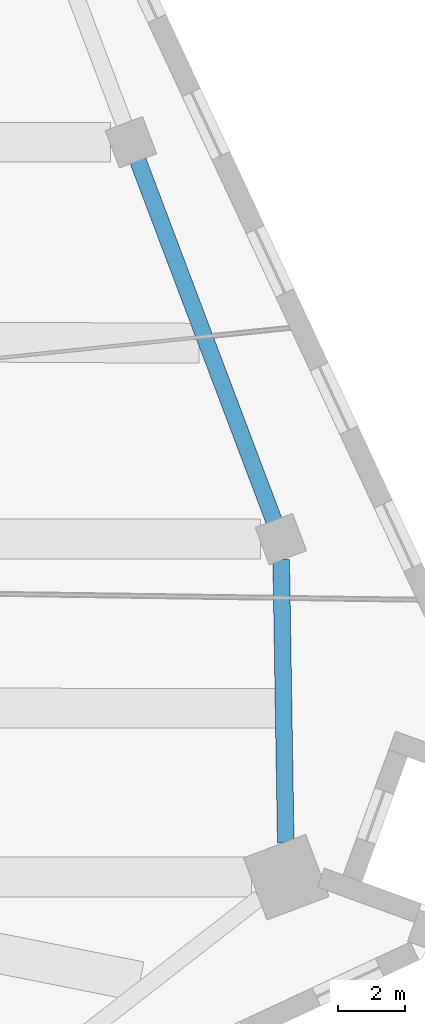
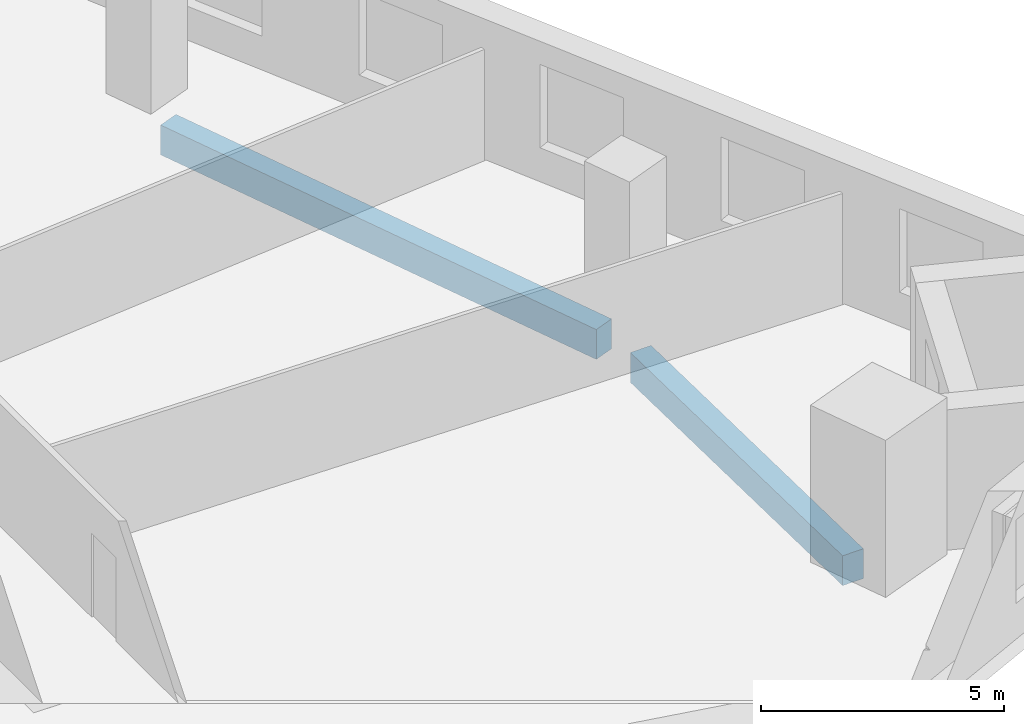
# One storey, part 3 of 12: 2 beams.
"""IFC4 building model written with IfcOpenShell, lengths in metres."""

import ifcopenshell
import ifcopenshell.guid

model = None  # the IFC model being written
_history = None  # IfcOwnerHistory: only IFC2X3 demands one
_inside = {}  # id of a spatial element -> (the spatial element, [elements in it])
_under = {}  # id of a project, library or spatial element -> (it, [spatial elements below it])
_declared = {}  # id of a project -> (the project, [libraries it declares])
_typed = {}  # id of a type object -> (the type object, [elements of that type])
_made_of = {}  # id of a material, layer set ... -> (it, [elements and type objects made of it])


def new_model(schema):
    """Start an empty IFC model of exactly this schema.

    Asked for "IFC4X3", IfcOpenShell would pick the latest addendum, in which some entities
    have other attributes; the version numbers below select the first issue.
    IFC2X3 requires an IfcOwnerHistory on every rooted entity: one is made here for all.
    """
    global model, _history
    if schema == "IFC4X3":
        model = ifcopenshell.file(schema_version=(4, 3, 0, 0))
    else:
        model = ifcopenshell.file(schema=schema)
    _inside.clear()
    _under.clear()
    _declared.clear()
    _typed.clear()
    _made_of.clear()
    _history = None
    if model.schema == "IFC2X3":
        org = make("IfcOrganization", Name="unknown")
        user = make(
            "IfcPersonAndOrganization",
            ThePerson=make("IfcPerson", FamilyName="unknown"),
            TheOrganization=org,
        )
        app = make(
            "IfcApplication",
            ApplicationDeveloper=org,
            Version="unknown",
            ApplicationFullName="unknown",
            ApplicationIdentifier="unknown",
        )
        _history = make(
            "IfcOwnerHistory",
            OwningUser=user,
            OwningApplication=app,
            ChangeAction="ADDED",
            CreationDate=0,
        )
    return model


def make(cls, **values):
    """One entity of the class cls with the attributes given. An attribute that is None is left unset."""
    return model.create_entity(
        cls, **{name: value for name, value in values.items() if value is not None}
    )


def rooted(cls, **values):
    """An entity with a GlobalId (a new one), such as an element, a storey or a relation."""
    return make(cls, GlobalId=ifcopenshell.guid.new(), OwnerHistory=_history, **values)


def si_unit(unit_type, name, prefix=None):
    """IfcSIUnit, for example si_unit("LENGTHUNIT", "METRE", prefix="MILLI")."""
    return make("IfcSIUnit", UnitType=unit_type, Prefix=prefix, Name=name)


def assignment(units):
    """IfcUnitAssignment: the units of a project."""
    return None if units is None else make("IfcUnitAssignment", Units=units)


def point(xyz):
    """IfcCartesianPoint."""
    return None if xyz is None else make("IfcCartesianPoint", Coordinates=xyz)


def direction(xyz):
    """IfcDirection."""
    return None if xyz is None else make("IfcDirection", DirectionRatios=xyz)


def frame(location, z_axis=None, x_axis=None):
    """IfcAxis2Placement3D, a coordinate frame: its origin and axes. An axis left out is left unset."""
    return make(
        "IfcAxis2Placement3D",
        Location=point(location),
        Axis=direction(z_axis),
        RefDirection=direction(x_axis),
    )


def frame_2d(location, x_axis=None):
    """IfcAxis2Placement2D, a coordinate frame in the plane: its origin and x axis."""
    return make(
        "IfcAxis2Placement2D", Location=point(location), RefDirection=direction(x_axis)
    )


def origin():
    """The frame at (0, 0, 0) with its axes left unset."""
    return frame((0.0, 0.0, 0.0))


def origin_2d():
    """The frame at (0, 0) in the plane with its x axis left unset."""
    return frame_2d((0.0, 0.0))


def place(relative_to, where):
    """IfcLocalPlacement: puts the frame where relative to a parent placement (None: the world)."""
    return make(
        "IfcLocalPlacement", PlacementRelTo=relative_to, RelativePlacement=where
    )


def context(
    kind, dimensions, precision=None, world=None, true_north=None, identifier=None
):
    """IfcGeometricRepresentationContext, for example the 3D "Model" context."""
    return make(
        "IfcGeometricRepresentationContext",
        ContextIdentifier=identifier,
        ContextType=kind,
        CoordinateSpaceDimension=dimensions,
        Precision=precision,
        WorldCoordinateSystem=world,
        TrueNorth=true_north,
    )


def subcontext(parent, identifier, kind, view, scale=None):
    """IfcGeometricRepresentationSubContext, for example "Body" below "Model"."""
    return make(
        "IfcGeometricRepresentationSubContext",
        ContextIdentifier=identifier,
        ContextType=kind,
        ParentContext=parent,
        TargetScale=scale,
        TargetView=view,
    )


def project(units=None, contexts=None):
    """IfcProject with its units and contexts."""
    return rooted(
        "IfcProject",
        Name="project",
        RepresentationContexts=contexts,
        UnitsInContext=assignment(units),
    )


def spatial(cls, under=None, at=None, **own):
    """A site, building, storey or space (cls), placed at a placement, below another one or the project."""
    s = rooted(cls, ObjectPlacement=at, **own)
    if under is not None:
        _under.setdefault(under.id(), (under, []))[1].append(s)
    return s


def profile(cls, at=None, kind="AREA", **sizes):
    """A parametric profile (cls). Its sizes go by their IFC names, for example OverallWidth=200.0."""
    return make(cls, ProfileType=kind, Position=at, **sizes)


def rectangle(**sizes):
    """IfcRectangleProfileDef."""
    return profile("IfcRectangleProfileDef", **sizes)


def extrude(swept, where, along, depth):
    """IfcExtrudedAreaSolid: the profile swept, set in the frame where, extruded along a direction by depth."""
    return make(
        "IfcExtrudedAreaSolid",
        SweptArea=swept,
        Position=where,
        ExtrudedDirection=direction(along),
        Depth=depth,
    )


def shape(context_of_items, identifier, shape_type, items):
    """IfcShapeRepresentation: the items that make up one representation, for example the "Body"."""
    return make(
        "IfcShapeRepresentation",
        ContextOfItems=context_of_items,
        RepresentationIdentifier=identifier,
        RepresentationType=shape_type,
        Items=items,
    )


def material(Name=None, Category=None):
    """IfcMaterial."""
    return make("IfcMaterial", Name=Name, Category=Category)


def material_profile(
    of_material, cross_section, Name=None, Category=None, Priority=None
):
    """IfcMaterialProfile: a cross section and its material."""
    return make(
        "IfcMaterialProfile",
        Name=Name,
        Material=of_material,
        Profile=cross_section,
        Priority=Priority,
        Category=Category,
    )


def profile_set(profiles, Name=None, composite=None):
    """IfcMaterialProfileSet."""
    return make(
        "IfcMaterialProfileSet",
        Name=Name,
        MaterialProfiles=profiles,
        CompositeProfile=composite,
    )


def made_of(thing, what):
    """Note that an element or type object is made of a material, layer set ...; save() writes the relation."""
    if what is not None:
        _made_of.setdefault(what.id(), (what, []))[1].append(thing)
    return thing


def type_object(cls, material=None, **own):
    """A type object (cls), such as IfcWallType, which elements share."""
    return made_of(rooted(cls, **own), material)


def element(
    cls,
    number,
    at=None,
    inside=None,
    cuts=None,
    type_object=None,
    material=None,
    context=None,
    identifier="Body",
    shape_type=None,
    held_by="IfcProductDefinitionShape",
    body=None,
    shapes=None,
    **own,
):
    """One element of the class cls, such as IfcWall. Its Tag is "e" and its number.

    at: its placement. inside: the storey or other place that contains it. cuts: it is an
    opening in that element (IfcRelVoidsElement). A single representation is given by context,
    identifier, shape_type and body (its items); several are given by shapes. held_by: the class
    of the entity that holds the representations. save() writes the other relations.
    """
    e = rooted(cls, Tag="e%d" % number, ObjectPlacement=at, **own)
    if body is not None:
        shapes = [shape(context, identifier, shape_type, body)]
    if shapes is not None:
        e.Representation = make(held_by, Representations=shapes)
    if inside is not None:
        _inside.setdefault(inside.id(), (inside, []))[1].append(e)
    if cuts is not None:
        rooted(
            "IfcRelVoidsElement", RelatingBuildingElement=cuts, RelatedOpeningElement=e
        )
    if type_object is not None:
        _typed.setdefault(type_object.id(), (type_object, []))[1].append(e)
    return made_of(e, material)


def aggregate(whole, parts):
    """IfcRelAggregates: a whole, such as a stair, and the parts it consists of."""
    return rooted("IfcRelAggregates", RelatingObject=whole, RelatedObjects=parts)


def save(model, path):
    """Write the relations noted so far, then the file.

    IfcRelAggregates (storeys below a building ...), IfcRelContainedInSpatialStructure (elements
    in a storey), IfcRelDefinesByType, IfcRelAssociatesMaterial and IfcRelDeclares: one each for
    every whole, place, type object, material and project.
    """
    for whole, parts in _under.values():
        aggregate(whole, parts)
    for where, things in _inside.values():
        rooted(
            "IfcRelContainedInSpatialStructure",
            RelatedElements=things,
            RelatingStructure=where,
        )
    for kind, things in _typed.values():
        rooted("IfcRelDefinesByType", RelatedObjects=things, RelatingType=kind)
    for what, things in _made_of.values():
        rooted("IfcRelAssociatesMaterial", RelatedObjects=things, RelatingMaterial=what)
    for by, libraries in _declared.values():
        rooted("IfcRelDeclares", RelatingContext=by, RelatedDefinitions=libraries)
    model.write(path)


model = new_model("IFC4")

# Units and contexts
model_context = context("Model", 3, precision=1e-05, world=origin(), true_north=direction((0.0, 1.0)))
body_context = subcontext(model_context, "Body", "Model", "MODEL_VIEW")
ifc_project = project(units=[si_unit("LENGTHUNIT", "METRE"), si_unit("AREAUNIT", "SQUARE_METRE"), si_unit("VOLUMEUNIT", "CUBIC_METRE"), si_unit("PLANEANGLEUNIT", "RADIAN"), si_unit("MASSUNIT", "GRAM", prefix="KILO")], contexts=[model_context])

# Site, building, storey
site_placement = place(None, origin())
site = spatial("IfcSite", under=ifc_project, at=site_placement, CompositionType="ELEMENT")
building_placement = place(site_placement, origin())
building = spatial("IfcBuilding", under=site, at=building_placement, Name="Dilmun Exchange Tower", CompositionType="ELEMENT")
storey_placement = place(building_placement, frame((0.0, 0.0, 122.10009765625)))
storey = spatial("IfcBuildingStorey", under=building, at=storey_placement, Name="L28", CompositionType="ELEMENT", Elevation=122.10009765625)

# Beams
ifc_material = material(Name="Concrete C40/50", Category="concrete")
ifc_material_profile = material_profile(ifc_material, rectangle(XDim=0.5, YDim=0.75, at=origin_2d()), Name="500 x 750")
ifc_profile_set = profile_set([ifc_material_profile], Name="Concrete C40/50")
beam_type = type_object("IfcBeamType", Name="RC ring beam 500 x 750 C40/50", PredefinedType="SPANDREL", material=ifc_profile_set)
beam_1_placement = place(storey_placement, frame((30.37744140625, -11.33544921875, -0.795166015625), z_axis=(-0.016054357527, 0.999871120497, 0.0), x_axis=(-0.999871120497, -0.016054357527, 0.0)))
element("IfcBeam", 1, at=beam_1_placement, inside=storey, type_object=beam_type, Name="Ring beam 13", PredefinedType="SPANDREL", context=body_context, shape_type="SweptSolid", body=[
    extrude(rectangle(XDim=0.5, YDim=0.75, at=origin_2d()), origin(), (0.0, 0.0, 1.0), 8.515869140625),
])
beam_2_placement = place(storey_placement, frame((30.028564453125, -1.674072265625, -0.795166015625), z_axis=(-0.353349831573, 0.935491259461, 0.0), x_axis=(-0.935491259461, -0.353349831573, 0.0)))
element("IfcBeam", 2, at=beam_2_placement, inside=storey, type_object=beam_type, Name="Ring beam 14", PredefinedType="SPANDREL", context=body_context, shape_type="SweptSolid", body=[
    extrude(rectangle(XDim=0.5, YDim=0.75, at=origin_2d()), origin(), (0.0, 0.0, 1.0), 11.603515625),
])

save(model, "model.ifc")
